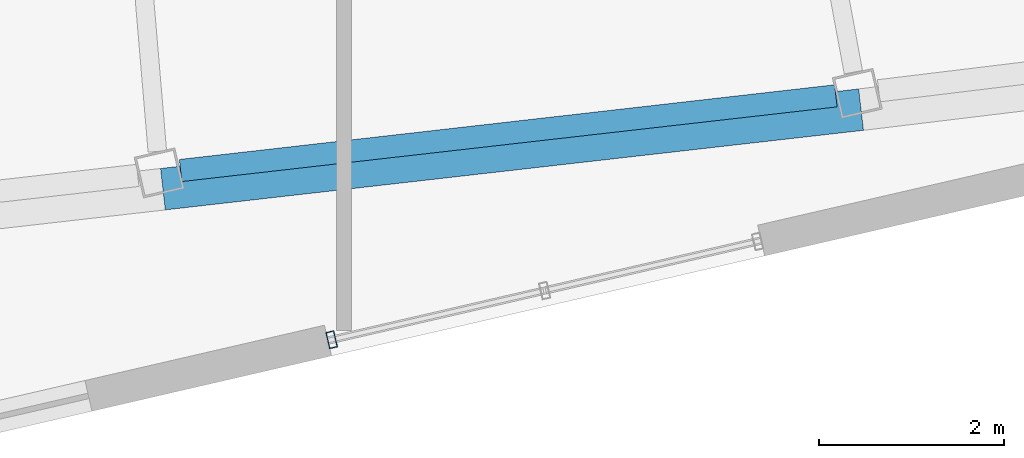
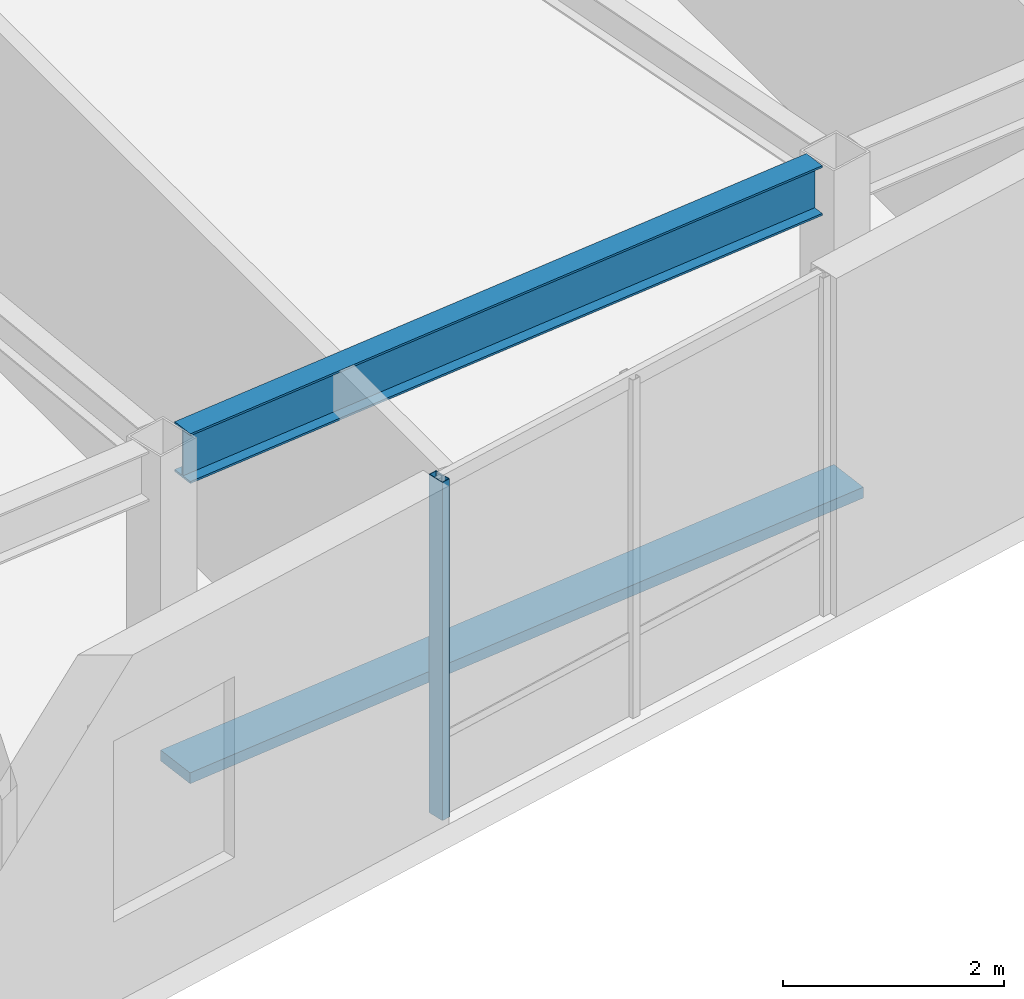
# One storey, part 5 of 24: 2 members, 1 beam, 1 element without a shape of its own.
"""IFC4 building model written with IfcOpenShell, lengths in metres."""

from ifc_helpers import new_model, si_unit, direction, frame, origin, origin_2d, place, context, subcontext, project, spatial, rectangle, hollow_rectangle, i_section, extrude, material, layer, layer_set, material_profile, profile_set, type_object, element, aggregate, save


model = new_model("IFC4")

# Units and contexts
model_context = context("Model", 3, precision=1e-05, world=origin(), true_north=direction((0.0, 1.0)))
body_context = subcontext(model_context, "Body", "Model", "MODEL_VIEW")
ifc_project = project(units=[si_unit("LENGTHUNIT", "METRE"), si_unit("AREAUNIT", "SQUARE_METRE"), si_unit("VOLUMEUNIT", "CUBIC_METRE"), si_unit("PLANEANGLEUNIT", "RADIAN"), si_unit("MASSUNIT", "GRAM", prefix="KILO")], contexts=[model_context])

# Site, building, storey
site_placement = place(None, origin())
site = spatial("IfcSite", under=ifc_project, at=site_placement, CompositionType="ELEMENT")
building_placement = place(site_placement, origin())
building = spatial("IfcBuilding", under=site, at=building_placement, Name="Tavrogorsk Clinical Tower", CompositionType="ELEMENT")
storey_placement = place(building_placement, frame((0.0, 0.0, 321.0)))
storey = spatial("IfcBuildingStorey", under=building, at=storey_placement, Name="L75", CompositionType="ELEMENT", Elevation=321.0)

# Member
ifc_material_1 = material(Name="Anodised aluminium alloy AW-6063", Category="aluminium")
ifc_material_profile_1 = material_profile(ifc_material_1, rectangle(XDim=0.449951171875, YDim=0.1201171875, at=origin_2d()), Name="ALU-SUNSHADE-450x120")
ifc_profile_set_1 = profile_set([ifc_material_profile_1], Name="Anodised aluminium alloy AW-6063")
member_type_1 = type_object("IfcMemberType", Name="ChicagoSunshade_450x120", PredefinedType="USERDEFINED", material=ifc_profile_set_1)
member_1_placement = place(storey_placement, frame((-8.75341796875, -24.343994140625, 0.179931640625), z_axis=(0.993568518474, 0.113232500178, 0.0), x_axis=(-0.113232500178, 0.993568518474, 0.0)))
element("IfcMember", 1, at=member_1_placement, inside=storey, type_object=member_type_1, Name="L75 South Aluminium Sunshade S3", ObjectType="SUNSHADE", PredefinedType="USERDEFINED", context=body_context, shape_type="SweptSolid", body=[
    extrude(rectangle(XDim=0.449951171875, YDim=0.1201171875, at=origin_2d()), origin(), (0.0, 0.0, 1.0), 7.585205078125),
])

# Curtain wall, member
ifc_material_2 = material(Name="Anodised aluminium and triple IGU glazing", Category="aluminium")
ifc_layer = layer(ifc_material_2, 0.179931640625)
ifc_layer_set = layer_set([ifc_layer], Name="Anodised aluminium and triple IGU glazing")
curtain_wall_type = type_object("IfcCurtainWallType", Name="CW3_SouthSlot", PredefinedType="NOTDEFINED", material=ifc_layer_set)
curtain_wall_placement = place(storey_placement, origin())
curtain_wall = element("IfcCurtainWall", 2, at=curtain_wall_placement, inside=storey, type_object=curtain_wall_type, Name="L75 Curtain Wall CW-L75-S-SLOT-1", PredefinedType="NOTDEFINED")
ifc_material_3 = material(Name="Anodised aluminium alloy AW-6060", Category="aluminium")
ifc_material_profile_2 = material_profile(ifc_material_3, hollow_rectangle(XDim=0.090087890625, YDim=0.179931640625, WallThickness=0.00634765625, at=origin_2d()), Name="RHS-180x90x6.3")
ifc_profile_set_2 = profile_set([ifc_material_profile_2], Name="Anodised aluminium alloy AW-6060")
member_type_2 = type_object("IfcMemberType", Name="CwMullion_180x90", PredefinedType="MULLION", material=ifc_profile_set_2)
member_2_placement = place(storey_placement, frame((-6.93212890625, -25.968994140625, 0.0), z_axis=(0.0, 0.0, 1.0), x_axis=(0.974370057377, 0.224951086434, 0.0)))
member_2 = element("IfcMember", 3, at=member_2_placement, type_object=member_type_2, Name="CW-L75-S-SLOT-1 Mullion 1", PredefinedType="MULLION", context=body_context, shape_type="SweptSolid", body=[
    extrude(hollow_rectangle(XDim=0.090087890625, YDim=0.179931640625, WallThickness=0.00634765625, at=origin_2d()), origin(), (0.0, 0.0, 1.0), 3.739990234375),
])
aggregate(curtain_wall, [member_2])

# Beam
ifc_material_4 = material(Name="Structural steel S390", Category="steel")
ifc_material_profile_3 = material_profile(ifc_material_4, i_section(OverallWidth=0.239990234375, OverallDepth=0.550048828125, WebThickness=0.013916015625, FlangeThickness=0.02197265625, at=origin_2d()), Name="B-550x240x14x22")
ifc_profile_set_3 = profile_set([ifc_material_profile_3], Name="Structural steel S390")
beam_type = type_object("IfcBeamType", Name="SpandrelBeam_B550", PredefinedType="SPANDREL", material=ifc_profile_set_3)
beam_placement = place(storey_placement, frame((-8.5625, -24.14208984375, 3.465087890625), z_axis=(0.993572073137, 0.113201305126, 0.0), x_axis=(-0.113201305126, 0.993572073137, 0.0)))
element("IfcBeam", 4, at=beam_placement, inside=storey, type_object=beam_type, Name="L75 Perimeter Spandrel S3-S4", PredefinedType="SPANDREL", context=body_context, shape_type="SweptSolid", body=[
    extrude(i_section(OverallWidth=0.239990234375, OverallDepth=0.550048828125, WebThickness=0.013916015625, FlangeThickness=0.02197265625, at=origin_2d()), origin(), (0.0, 0.0, 1.0), 7.119140625),
])

save(model, "model.ifc")
